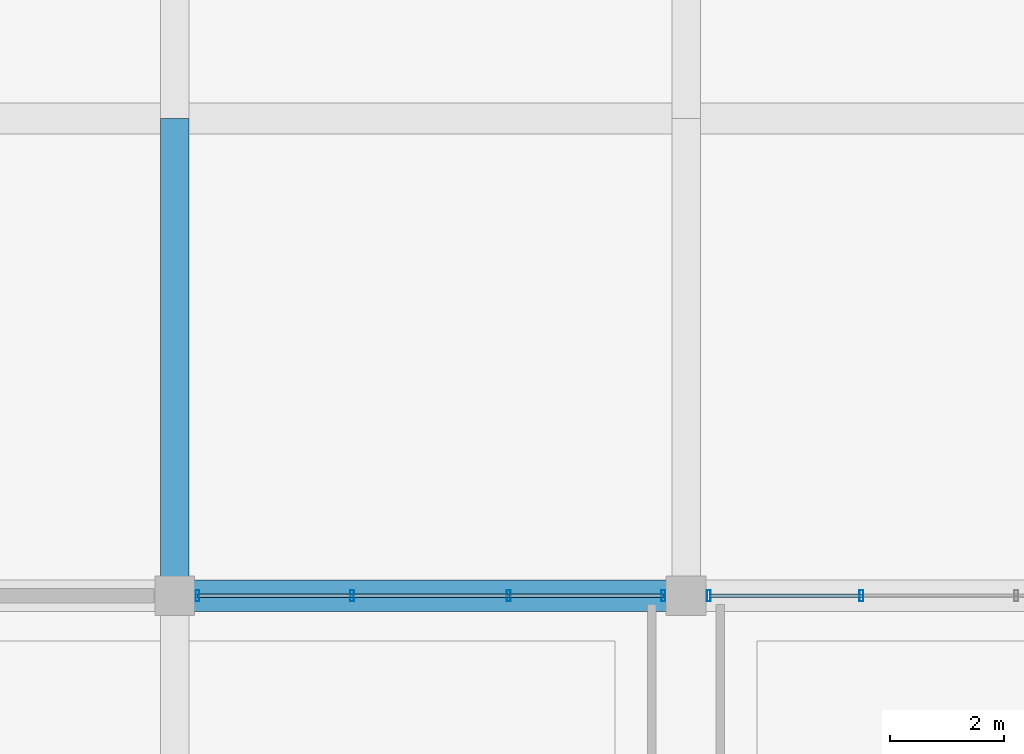
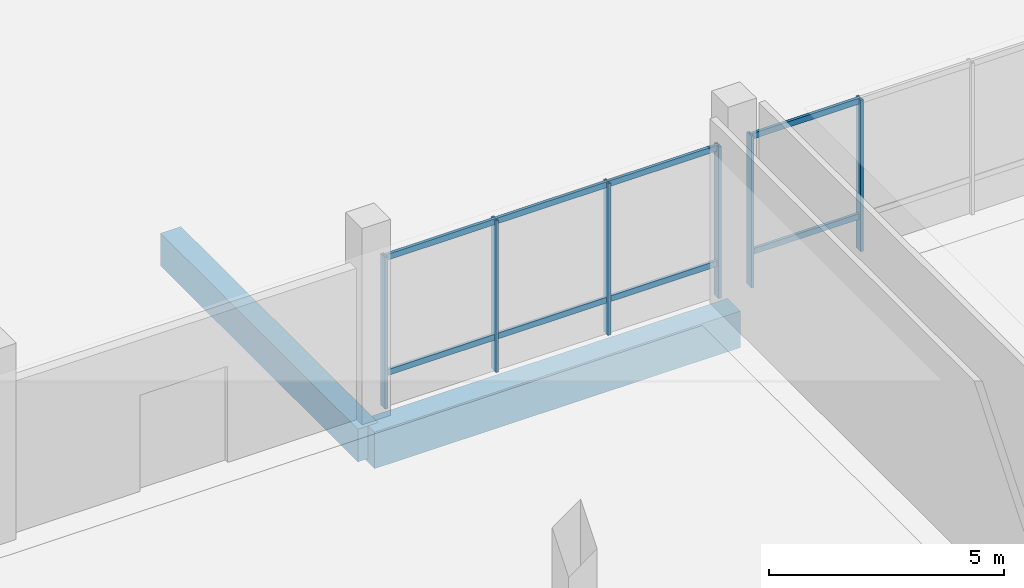
# One storey, part 32 of 73: 14 members, 2 beams, 2 elements without a shape of their own.
"""IFC4 building model written with IfcOpenShell, lengths in metres."""

from ifc_helpers import new_model, si_unit, direction, frame, origin, origin_2d, place, context, subcontext, project, spatial, rectangle, hollow_rectangle, extrude, material, layer, layer_set, material_profile, profile_set, type_object, element, aggregate, save


model = new_model("IFC4")

# Units and contexts
model_context = context("Model", 3, precision=1e-05, world=origin(), true_north=direction((0.0, 1.0)))
body_context = subcontext(model_context, "Body", "Model", "MODEL_VIEW")
ifc_project = project(units=[si_unit("LENGTHUNIT", "METRE"), si_unit("AREAUNIT", "SQUARE_METRE"), si_unit("VOLUMEUNIT", "CUBIC_METRE"), si_unit("PLANEANGLEUNIT", "RADIAN"), si_unit("MASSUNIT", "GRAM", prefix="KILO")], contexts=[model_context])

# Site, building, storey
site_placement = place(None, origin())
site = spatial("IfcSite", under=ifc_project, at=site_placement, CompositionType="ELEMENT")
building_placement = place(site_placement, origin())
building = spatial("IfcBuilding", under=site, at=building_placement, Name="Meriwether Solvik Hall", CompositionType="ELEMENT")
storey_placement = place(building_placement, origin())
storey = spatial("IfcBuildingStorey", under=building, at=storey_placement, Name="L00", CompositionType="ELEMENT", Elevation=0.0)

# Beams
ifc_material_1 = material(Name="Concrete C40/50", Category="concrete")
ifc_material_profile_1 = material_profile(ifc_material_1, rectangle(XDim=0.5, YDim=0.85009765625, at=origin_2d()), Name="RCB-500X850")
ifc_profile_set_1 = profile_set([ifc_material_profile_1], Name="Concrete C40/50")
beam_type_1 = type_object("IfcBeamType", Name="BM-RC-500X850", PredefinedType="BEAM", material=ifc_profile_set_1)
beam_1_placement = place(storey_placement, frame((77.800048828125, 92.800048828125, -0.784912109375), z_axis=(0.0, 1.0, 0.0), x_axis=(-1.0, 0.0, 0.0)))
element("IfcBeam", 1, at=beam_1_placement, inside=storey, type_object=beam_type_1, Name="Podium Girder 9:K-L (L00)", PredefinedType="BEAM", context=body_context, shape_type="SweptSolid", body=[
    extrude(rectangle(XDim=0.5, YDim=0.85009765625, at=origin_2d()), origin(), (0.0, 0.0, 1.0), 8.39990234375),
])
ifc_material_2 = material(Name="Concrete C40/50", Category="concrete")
ifc_material_profile_2 = material_profile(ifc_material_2, rectangle(XDim=0.550048828125, YDim=0.949951171875, at=origin_2d()), Name="RCB-550X950")
ifc_profile_set_2 = profile_set([ifc_material_profile_2], Name="Concrete C40/50")
beam_type_2 = type_object("IfcBeamType", Name="BM-RC-550X950", PredefinedType="BEAM", material=ifc_profile_set_2)
beam_2_placement = place(storey_placement, frame((77.800048828125, 92.800048828125, -0.8349609375), z_axis=(1.0, 0.0, 0.0), x_axis=(0.0, 1.0, 0.0)))
element("IfcBeam", 2, at=beam_2_placement, inside=storey, type_object=beam_type_2, Name="Podium Girder K:9-10 (L00)", PredefinedType="BEAM", context=body_context, shape_type="SweptSolid", body=[
    extrude(rectangle(XDim=0.550048828125, YDim=0.949951171875, at=origin_2d()), origin(), (0.0, 0.0, 1.0), 9.0),
])

# Curtain wall, members
ifc_material_3 = material(Name="Thermally Broken Anodised Aluminium 6063-T6 and Low-E Glass", Category="aluminium")
ifc_layer = layer(ifc_material_3, 0.179931640625)
ifc_layer_set = layer_set([ifc_layer], Name="Thermally Broken Anodised Aluminium 6063-T6 and Low-E Glass")
curtain_wall_type = type_object("IfcCurtainWallType", Name="CW-SF-POD-A", PredefinedType="USERDEFINED", material=ifc_layer_set)
curtain_wall_1_placement = place(storey_placement, origin())
curtain_wall_1 = element("IfcCurtainWall", 3, at=curtain_wall_1_placement, inside=storey, type_object=curtain_wall_type, Name="Curtain Wall wing_XK_9_24 (L00)", ObjectType="STICK STOREFRONT GLAZING", PredefinedType="USERDEFINED")
ifc_material_4 = material(Name="Anodised Aluminium 6063-T6", Category="aluminium")
ifc_material_profile_3 = material_profile(ifc_material_4, hollow_rectangle(XDim=0.070068359375, YDim=0.199951171875, WallThickness=0.0048828125, at=origin_2d()), Name="CWM-70X200")
ifc_profile_set_3 = profile_set([ifc_material_profile_3], Name="Anodised Aluminium 6063-T6")
member_type_1 = type_object("IfcMemberType", Name="CW-MUL-70X200", PredefinedType="MULLION", material=ifc_profile_set_3)
member_1_placement = place(storey_placement, frame((78.199951171875, 92.800048828125, 0.0), z_axis=(0.0, 0.0, 1.0), x_axis=(1.0, 0.0, 0.0)))
member_1 = element("IfcMember", 4, at=member_1_placement, type_object=member_type_1, Name="Curtain Wall Mullion 1", PredefinedType="MULLION", context=body_context, shape_type="SweptSolid", body=[
    extrude(hollow_rectangle(XDim=0.070068359375, YDim=0.199951171875, WallThickness=0.0048828125, at=origin_2d()), origin(), (0.0, 0.0, 1.0), 3.93994140625),
])
member_2_placement = place(storey_placement, frame((80.920654296875, 92.800048828125, 0.0), z_axis=(0.0, 0.0, 1.0), x_axis=(1.0, 0.0, 0.0)))
member_2 = element("IfcMember", 5, at=member_2_placement, type_object=member_type_1, Name="Curtain Wall Mullion 2", PredefinedType="MULLION", context=body_context, shape_type="SweptSolid", body=[
    extrude(hollow_rectangle(XDim=0.070068359375, YDim=0.199951171875, WallThickness=0.0048828125, at=origin_2d()), origin(), (0.0, 0.0, 1.0), 3.93994140625),
])
member_3_placement = place(storey_placement, frame((83.679443359375, 92.800048828125, 0.0), z_axis=(0.0, 0.0, 1.0), x_axis=(1.0, 0.0, 0.0)))
member_3 = element("IfcMember", 6, at=member_3_placement, type_object=member_type_1, Name="Curtain Wall Mullion 3", PredefinedType="MULLION", context=body_context, shape_type="SweptSolid", body=[
    extrude(hollow_rectangle(XDim=0.070068359375, YDim=0.199951171875, WallThickness=0.0048828125, at=origin_2d()), origin(), (0.0, 0.0, 1.0), 3.93994140625),
])
member_4_placement = place(storey_placement, frame((86.39990234375, 92.800048828125, 0.0), z_axis=(0.0, 0.0, 1.0), x_axis=(1.0, 0.0, 0.0)))
member_4 = element("IfcMember", 7, at=member_4_placement, type_object=member_type_1, Name="Curtain Wall Mullion 4", PredefinedType="MULLION", context=body_context, shape_type="SweptSolid", body=[
    extrude(hollow_rectangle(XDim=0.070068359375, YDim=0.199951171875, WallThickness=0.0048828125, at=origin_2d()), origin(), (0.0, 0.0, 1.0), 3.93994140625),
])

curtain_wall_2_placement = place(storey_placement, origin())
curtain_wall_2 = element("IfcCurtainWall", 8, at=curtain_wall_2_placement, inside=storey, type_object=curtain_wall_type, Name="Curtain Wall wing_XK_10_25 (L00)", ObjectType="STICK STOREFRONT GLAZING", PredefinedType="USERDEFINED")
member_5_placement = place(storey_placement, frame((87.199951171875, 92.800048828125, 0.0), z_axis=(0.0, 0.0, 1.0), x_axis=(1.0, 0.0, 0.0)))
member_5 = element("IfcMember", 9, at=member_5_placement, type_object=member_type_1, Name="Curtain Wall Mullion 1", PredefinedType="MULLION", context=body_context, shape_type="SweptSolid", body=[
    extrude(hollow_rectangle(XDim=0.070068359375, YDim=0.199951171875, WallThickness=0.0048828125, at=origin_2d()), origin(), (0.0, 0.0, 1.0), 3.93994140625),
])
member_6_placement = place(storey_placement, frame((89.887451171875, 92.800048828125, 0.0), z_axis=(0.0, 0.0, 1.0), x_axis=(1.0, 0.0, 0.0)))
member_6 = element("IfcMember", 10, at=member_6_placement, type_object=member_type_1, Name="Curtain Wall Mullion 2", PredefinedType="MULLION", context=body_context, shape_type="SweptSolid", body=[
    extrude(hollow_rectangle(XDim=0.070068359375, YDim=0.199951171875, WallThickness=0.0048828125, at=origin_2d()), origin(), (0.0, 0.0, 1.0), 3.93994140625),
])

# Member
ifc_material_5 = material(Name="Anodised Aluminium 6063-T6", Category="aluminium")
ifc_material_profile_4 = material_profile(ifc_material_5, hollow_rectangle(XDim=0.070068359375, YDim=0.14990234375, WallThickness=0.0048828125, at=origin_2d()), Name="CWT-70X150")
ifc_profile_set_4 = profile_set([ifc_material_profile_4], Name="Anodised Aluminium 6063-T6")
member_type_2 = type_object("IfcMemberType", Name="CW-TRN-70X150", PredefinedType="USERDEFINED", material=ifc_profile_set_4)
member_7_placement = place(storey_placement, frame((78.199951171875, 92.800048828125, 0.8798828125), z_axis=(1.0, 0.0, 0.0), x_axis=(0.0, 1.0, 0.0)))
member_7 = element("IfcMember", 11, at=member_7_placement, type_object=member_type_2, Name="Curtain Wall Transom 1-sill", ObjectType="TRANSOM", PredefinedType="USERDEFINED", context=body_context, shape_type="SweptSolid", body=[
    extrude(hollow_rectangle(XDim=0.070068359375, YDim=0.14990234375, WallThickness=0.0048828125, at=origin_2d()), origin(), (0.0, 0.0, 1.0), 2.720703125),
])

member_8_placement = place(storey_placement, frame((78.199951171875, 92.800048828125, 3.8798828125), z_axis=(1.0, 0.0, 0.0), x_axis=(0.0, 1.0, 0.0)))
member_8 = element("IfcMember", 12, at=member_8_placement, type_object=member_type_2, Name="Curtain Wall Transom 1-head", ObjectType="TRANSOM", PredefinedType="USERDEFINED", context=body_context, shape_type="SweptSolid", body=[
    extrude(hollow_rectangle(XDim=0.070068359375, YDim=0.14990234375, WallThickness=0.0048828125, at=origin_2d()), origin(), (0.0, 0.0, 1.0), 2.720703125),
])

member_9_placement = place(storey_placement, frame((80.920654296875, 92.800048828125, 0.8798828125), z_axis=(1.0, 0.0, 0.0), x_axis=(0.0, 1.0, 0.0)))
member_9 = element("IfcMember", 13, at=member_9_placement, type_object=member_type_2, Name="Curtain Wall Transom 2-sill", ObjectType="TRANSOM", PredefinedType="USERDEFINED", context=body_context, shape_type="SweptSolid", body=[
    extrude(hollow_rectangle(XDim=0.070068359375, YDim=0.14990234375, WallThickness=0.0048828125, at=origin_2d()), origin(), (0.0, 0.0, 1.0), 2.7587890625),
])

member_10_placement = place(storey_placement, frame((80.920654296875, 92.800048828125, 3.8798828125), z_axis=(1.0, 0.0, 0.0), x_axis=(0.0, 1.0, 0.0)))
member_10 = element("IfcMember", 14, at=member_10_placement, type_object=member_type_2, Name="Curtain Wall Transom 2-head", ObjectType="TRANSOM", PredefinedType="USERDEFINED", context=body_context, shape_type="SweptSolid", body=[
    extrude(hollow_rectangle(XDim=0.070068359375, YDim=0.14990234375, WallThickness=0.0048828125, at=origin_2d()), origin(), (0.0, 0.0, 1.0), 2.7587890625),
])

member_11_placement = place(storey_placement, frame((83.679443359375, 92.800048828125, 0.8798828125), z_axis=(1.0, 0.0, 0.0), x_axis=(0.0, 1.0, 0.0)))
member_11 = element("IfcMember", 15, at=member_11_placement, type_object=member_type_2, Name="Curtain Wall Transom 3-sill", ObjectType="TRANSOM", PredefinedType="USERDEFINED", context=body_context, shape_type="SweptSolid", body=[
    extrude(hollow_rectangle(XDim=0.070068359375, YDim=0.14990234375, WallThickness=0.0048828125, at=origin_2d()), origin(), (0.0, 0.0, 1.0), 2.720458984375),
])

member_12_placement = place(storey_placement, frame((83.679443359375, 92.800048828125, 3.8798828125), z_axis=(1.0, 0.0, 0.0), x_axis=(0.0, 1.0, 0.0)))
member_12 = element("IfcMember", 16, at=member_12_placement, type_object=member_type_2, Name="Curtain Wall Transom 3-head", ObjectType="TRANSOM", PredefinedType="USERDEFINED", context=body_context, shape_type="SweptSolid", body=[
    extrude(hollow_rectangle(XDim=0.070068359375, YDim=0.14990234375, WallThickness=0.0048828125, at=origin_2d()), origin(), (0.0, 0.0, 1.0), 2.720458984375),
])

aggregate(curtain_wall_1, [member_1, member_2, member_3, member_4, member_7, member_8, member_9, member_10, member_11, member_12])

member_13_placement = place(storey_placement, frame((87.199951171875, 92.800048828125, 0.8798828125), z_axis=(1.0, 0.0, 0.0), x_axis=(0.0, 1.0, 0.0)))
member_13 = element("IfcMember", 17, at=member_13_placement, type_object=member_type_2, Name="Curtain Wall Transom 1-sill", ObjectType="TRANSOM", PredefinedType="USERDEFINED", context=body_context, shape_type="SweptSolid", body=[
    extrude(hollow_rectangle(XDim=0.070068359375, YDim=0.14990234375, WallThickness=0.0048828125, at=origin_2d()), origin(), (0.0, 0.0, 1.0), 2.6875),
])

member_14_placement = place(storey_placement, frame((87.199951171875, 92.800048828125, 3.8798828125), z_axis=(1.0, 0.0, 0.0), x_axis=(0.0, 1.0, 0.0)))
member_14 = element("IfcMember", 18, at=member_14_placement, type_object=member_type_2, Name="Curtain Wall Transom 1-head", ObjectType="TRANSOM", PredefinedType="USERDEFINED", context=body_context, shape_type="SweptSolid", body=[
    extrude(hollow_rectangle(XDim=0.070068359375, YDim=0.14990234375, WallThickness=0.0048828125, at=origin_2d()), origin(), (0.0, 0.0, 1.0), 2.6875),
])

aggregate(curtain_wall_2, [member_5, member_6, member_13, member_14])

save(model, "model.ifc")
